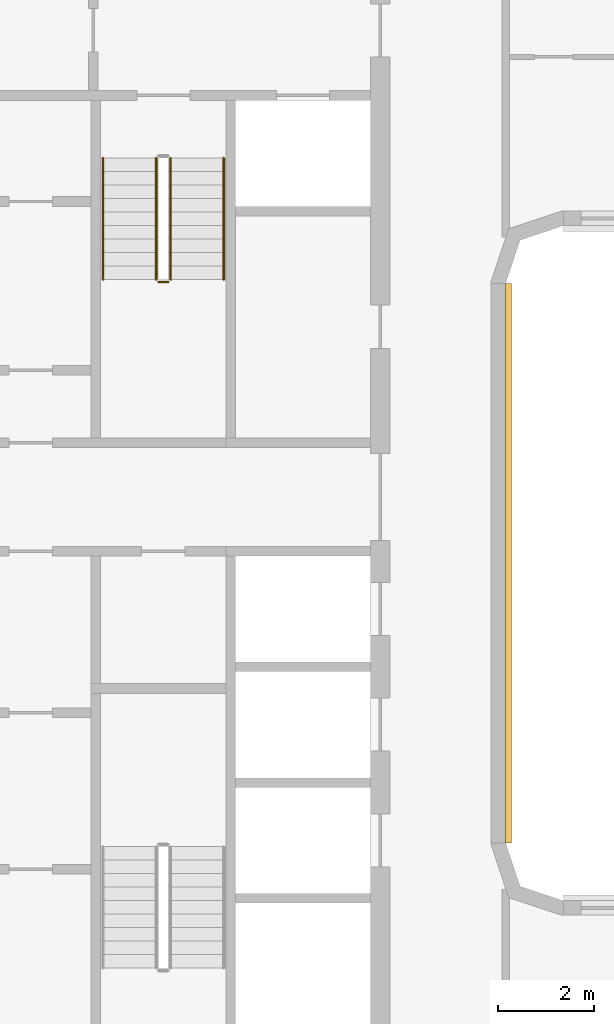
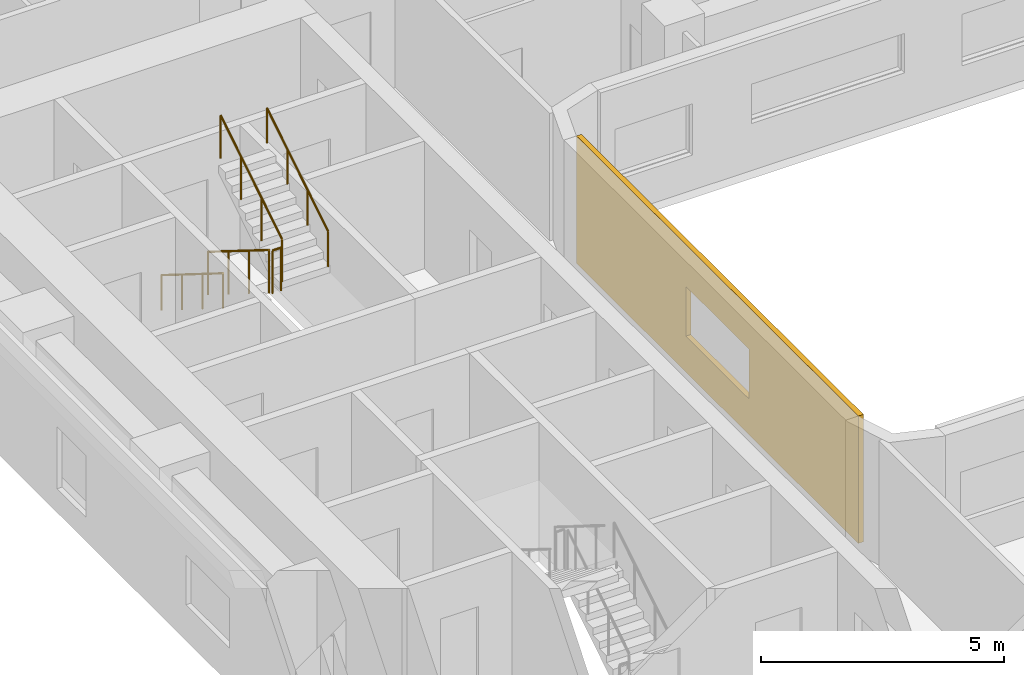
# One storey, part 15 of 22: 5 railings, 1 covering.
"""IFC4 building model written with IfcOpenShell, lengths in metres."""

import ifcopenshell
import ifcopenshell.guid

model = None  # the IFC model being written
_history = None  # IfcOwnerHistory: only IFC2X3 demands one
_inside = {}  # id of a spatial element -> (the spatial element, [elements in it])
_under = {}  # id of a project, library or spatial element -> (it, [spatial elements below it])
_declared = {}  # id of a project -> (the project, [libraries it declares])
_typed = {}  # id of a type object -> (the type object, [elements of that type])
_made_of = {}  # id of a material, layer set ... -> (it, [elements and type objects made of it])


def new_model(schema):
    """Start an empty IFC model of exactly this schema.

    Asked for "IFC4X3", IfcOpenShell would pick the latest addendum, in which some entities
    have other attributes; the version numbers below select the first issue.
    IFC2X3 requires an IfcOwnerHistory on every rooted entity: one is made here for all.
    """
    global model, _history
    if schema == "IFC4X3":
        model = ifcopenshell.file(schema_version=(4, 3, 0, 0))
    else:
        model = ifcopenshell.file(schema=schema)
    _inside.clear()
    _under.clear()
    _declared.clear()
    _typed.clear()
    _made_of.clear()
    _history = None
    if model.schema == "IFC2X3":
        org = make("IfcOrganization", Name="unknown")
        user = make(
            "IfcPersonAndOrganization",
            ThePerson=make("IfcPerson", FamilyName="unknown"),
            TheOrganization=org,
        )
        app = make(
            "IfcApplication",
            ApplicationDeveloper=org,
            Version="unknown",
            ApplicationFullName="unknown",
            ApplicationIdentifier="unknown",
        )
        _history = make(
            "IfcOwnerHistory",
            OwningUser=user,
            OwningApplication=app,
            ChangeAction="ADDED",
            CreationDate=0,
        )
    return model


def make(cls, **values):
    """One entity of the class cls with the attributes given. An attribute that is None is left unset."""
    return model.create_entity(
        cls, **{name: value for name, value in values.items() if value is not None}
    )


def rooted(cls, **values):
    """An entity with a GlobalId (a new one), such as an element, a storey or a relation."""
    return make(cls, GlobalId=ifcopenshell.guid.new(), OwnerHistory=_history, **values)


def si_unit(unit_type, name, prefix=None):
    """IfcSIUnit, for example si_unit("LENGTHUNIT", "METRE", prefix="MILLI")."""
    return make("IfcSIUnit", UnitType=unit_type, Prefix=prefix, Name=name)


def assignment(units):
    """IfcUnitAssignment: the units of a project."""
    return None if units is None else make("IfcUnitAssignment", Units=units)


def point(xyz):
    """IfcCartesianPoint."""
    return None if xyz is None else make("IfcCartesianPoint", Coordinates=xyz)


def direction(xyz):
    """IfcDirection."""
    return None if xyz is None else make("IfcDirection", DirectionRatios=xyz)


def frame(location, z_axis=None, x_axis=None):
    """IfcAxis2Placement3D, a coordinate frame: its origin and axes. An axis left out is left unset."""
    return make(
        "IfcAxis2Placement3D",
        Location=point(location),
        Axis=direction(z_axis),
        RefDirection=direction(x_axis),
    )


def frame_2d(location, x_axis=None):
    """IfcAxis2Placement2D, a coordinate frame in the plane: its origin and x axis."""
    return make(
        "IfcAxis2Placement2D", Location=point(location), RefDirection=direction(x_axis)
    )


def origin():
    """The frame at (0, 0, 0) with its axes left unset."""
    return frame((0.0, 0.0, 0.0))


def origin_2d():
    """The frame at (0, 0) in the plane with its x axis left unset."""
    return frame_2d((0.0, 0.0))


def place(relative_to, where):
    """IfcLocalPlacement: puts the frame where relative to a parent placement (None: the world)."""
    return make(
        "IfcLocalPlacement", PlacementRelTo=relative_to, RelativePlacement=where
    )


def context(
    kind, dimensions, precision=None, world=None, true_north=None, identifier=None
):
    """IfcGeometricRepresentationContext, for example the 3D "Model" context."""
    return make(
        "IfcGeometricRepresentationContext",
        ContextIdentifier=identifier,
        ContextType=kind,
        CoordinateSpaceDimension=dimensions,
        Precision=precision,
        WorldCoordinateSystem=world,
        TrueNorth=true_north,
    )


def subcontext(parent, identifier, kind, view, scale=None):
    """IfcGeometricRepresentationSubContext, for example "Body" below "Model"."""
    return make(
        "IfcGeometricRepresentationSubContext",
        ContextIdentifier=identifier,
        ContextType=kind,
        ParentContext=parent,
        TargetScale=scale,
        TargetView=view,
    )


def project(units=None, contexts=None):
    """IfcProject with its units and contexts."""
    return rooted(
        "IfcProject",
        Name="project",
        RepresentationContexts=contexts,
        UnitsInContext=assignment(units),
    )


def spatial(cls, under=None, at=None, **own):
    """A site, building, storey or space (cls), placed at a placement, below another one or the project."""
    s = rooted(cls, ObjectPlacement=at, **own)
    if under is not None:
        _under.setdefault(under.id(), (under, []))[1].append(s)
    return s


def polyline(points):
    """IfcPolyline through the points."""
    return make("IfcPolyline", Points=[point(p) for p in points])


def profile(cls, at=None, kind="AREA", **sizes):
    """A parametric profile (cls). Its sizes go by their IFC names, for example OverallWidth=200.0."""
    return make(cls, ProfileType=kind, Position=at, **sizes)


def circle(**sizes):
    """IfcCircleProfileDef."""
    return profile("IfcCircleProfileDef", **sizes)


def outline(outer, holes=None, kind="AREA"):
    """IfcArbitraryClosedProfileDef: a profile drawn as a closed curve; with holes, ...WithVoids."""
    if holes is None:
        return make("IfcArbitraryClosedProfileDef", ProfileType=kind, OuterCurve=outer)
    return make(
        "IfcArbitraryProfileDefWithVoids",
        ProfileType=kind,
        OuterCurve=outer,
        InnerCurves=holes,
    )


def extrude(swept, where, along, depth):
    """IfcExtrudedAreaSolid: the profile swept, set in the frame where, extruded along a direction by depth."""
    return make(
        "IfcExtrudedAreaSolid",
        SweptArea=swept,
        Position=where,
        ExtrudedDirection=direction(along),
        Depth=depth,
    )


def shape(context_of_items, identifier, shape_type, items):
    """IfcShapeRepresentation: the items that make up one representation, for example the "Body"."""
    return make(
        "IfcShapeRepresentation",
        ContextOfItems=context_of_items,
        RepresentationIdentifier=identifier,
        RepresentationType=shape_type,
        Items=items,
    )


def material(Name=None, Category=None):
    """IfcMaterial."""
    return make("IfcMaterial", Name=Name, Category=Category)


def layer(
    of_material, thickness, ventilated=None, Name=None, Category=None, Priority=None
):
    """IfcMaterialLayer: one layer of a wall or slab, of a material (None: an air gap)."""
    return make(
        "IfcMaterialLayer",
        Material=of_material,
        LayerThickness=thickness,
        IsVentilated=ventilated,
        Name=Name,
        Category=Category,
        Priority=Priority,
    )


def layer_set(layers, Name=None):
    """IfcMaterialLayerSet."""
    return make("IfcMaterialLayerSet", MaterialLayers=layers, LayerSetName=Name)


def made_of(thing, what):
    """Note that an element or type object is made of a material, layer set ...; save() writes the relation."""
    if what is not None:
        _made_of.setdefault(what.id(), (what, []))[1].append(thing)
    return thing


def type_object(cls, material=None, **own):
    """A type object (cls), such as IfcWallType, which elements share."""
    return made_of(rooted(cls, **own), material)


def element(
    cls,
    number,
    at=None,
    inside=None,
    cuts=None,
    type_object=None,
    material=None,
    context=None,
    identifier="Body",
    shape_type=None,
    held_by="IfcProductDefinitionShape",
    body=None,
    shapes=None,
    **own,
):
    """One element of the class cls, such as IfcWall. Its Tag is "e" and its number.

    at: its placement. inside: the storey or other place that contains it. cuts: it is an
    opening in that element (IfcRelVoidsElement). A single representation is given by context,
    identifier, shape_type and body (its items); several are given by shapes. held_by: the class
    of the entity that holds the representations. save() writes the other relations.
    """
    e = rooted(cls, Tag="e%d" % number, ObjectPlacement=at, **own)
    if body is not None:
        shapes = [shape(context, identifier, shape_type, body)]
    if shapes is not None:
        e.Representation = make(held_by, Representations=shapes)
    if inside is not None:
        _inside.setdefault(inside.id(), (inside, []))[1].append(e)
    if cuts is not None:
        rooted(
            "IfcRelVoidsElement", RelatingBuildingElement=cuts, RelatedOpeningElement=e
        )
    if type_object is not None:
        _typed.setdefault(type_object.id(), (type_object, []))[1].append(e)
    return made_of(e, material)


def aggregate(whole, parts):
    """IfcRelAggregates: a whole, such as a stair, and the parts it consists of."""
    return rooted("IfcRelAggregates", RelatingObject=whole, RelatedObjects=parts)


def save(model, path):
    """Write the relations noted so far, then the file.

    IfcRelAggregates (storeys below a building ...), IfcRelContainedInSpatialStructure (elements
    in a storey), IfcRelDefinesByType, IfcRelAssociatesMaterial and IfcRelDeclares: one each for
    every whole, place, type object, material and project.
    """
    for whole, parts in _under.values():
        aggregate(whole, parts)
    for where, things in _inside.values():
        rooted(
            "IfcRelContainedInSpatialStructure",
            RelatedElements=things,
            RelatingStructure=where,
        )
    for kind, things in _typed.values():
        rooted("IfcRelDefinesByType", RelatedObjects=things, RelatingType=kind)
    for what, things in _made_of.values():
        rooted("IfcRelAssociatesMaterial", RelatedObjects=things, RelatingMaterial=what)
    for by, libraries in _declared.values():
        rooted("IfcRelDeclares", RelatingContext=by, RelatedDefinitions=libraries)
    model.write(path)


model = new_model("IFC4")

# Units and contexts
model_context = context("Model", 3, precision=1e-05, world=origin(), true_north=direction((0.0, 1.0)))
body_context = subcontext(model_context, "Body", "Model", "MODEL_VIEW")
ifc_project = project(units=[si_unit("LENGTHUNIT", "METRE"), si_unit("AREAUNIT", "SQUARE_METRE"), si_unit("VOLUMEUNIT", "CUBIC_METRE"), si_unit("PLANEANGLEUNIT", "RADIAN"), si_unit("MASSUNIT", "GRAM", prefix="KILO")], contexts=[model_context])

# Site, building, storey
site_placement = place(None, origin())
site = spatial("IfcSite", under=ifc_project, at=site_placement, CompositionType="ELEMENT")
building_placement = place(site_placement, origin())
building = spatial("IfcBuilding", under=site, at=building_placement, Name="Kiln Ring Residences", CompositionType="ELEMENT")
storey_placement = place(building_placement, frame((0.0, 0.0, 111.300048828125)))
storey = spatial("IfcBuildingStorey", under=building, at=storey_placement, Name="L28", CompositionType="ELEMENT", Elevation=111.300048828125)

# Railings
ifc_material_1 = material(Name="Stainless steel", Category="steel")
railing_type_1 = type_object("IfcRailingType", Name="CORE-STAIR-GUARD", PredefinedType="GUARDRAIL", material=ifc_material_1)
railing_1_placement = place(storey_placement, frame((-22.25, 8.39990234375, 0.175048828125)))
element("IfcRailing", 1, at=railing_1_placement, inside=storey, type_object=railing_type_1, Name="L28 W-STN stair guard 1", PredefinedType="GUARDRAIL", context=body_context, shape_type="SweptSolid", body=[
    extrude(circle(Radius=0.02392578125, at=origin_2d()), frame((0.0, 0.0, 1.076171875), z_axis=(0.0, -0.848007534815, 0.529984170421), x_axis=(1.0, 0.0, 0.0)), (0.0, 0.0, 1.0), 2.9716796875),
    extrude(circle(Radius=0.02099609375, at=origin_2d()), origin(), (0.0, 0.0, 1.0), 1.052001953125),
    extrude(circle(Radius=0.02099609375, at=origin_2d()), frame((0.0, -0.840087890625, 0.52490234375)), (0.0, 0.0, 1.0), 1.052001953125),
    extrude(circle(Radius=0.02099609375, at=origin_2d()), frame((0.0, -1.679931640625, 1.050048828125)), (0.0, 0.0, 1.0), 1.052001953125),
    extrude(circle(Radius=0.02099609375, at=origin_2d()), frame((0.0, -2.52001953125, 1.574951171875)), (0.0, 0.0, 1.0), 1.052001953125),
])
railing_2_placement = place(storey_placement, frame((-22.199951171875, 5.830078125, 1.75)))
element("IfcRailing", 2, at=railing_2_placement, inside=storey, type_object=railing_type_1, Name="L28 W-STN stair guard 2", PredefinedType="GUARDRAIL", context=body_context, shape_type="SweptSolid", body=[
    extrude(circle(Radius=0.02392578125, at=origin_2d()), frame((0.0, 0.0, 1.076171875), z_axis=(1.0, 0.0, 0.0), x_axis=(0.0, 1.0, 0.0)), (0.0, 0.0, 1.0), 0.199951171875),
    extrude(circle(Radius=0.02099609375, at=origin_2d()), origin(), (0.0, 0.0, 1.0), 1.052001953125),
    extrude(circle(Radius=0.02099609375, at=origin_2d()), frame((0.199951171875, 0.0, 0.0)), (0.0, 0.0, 1.0), 1.052001953125),
])
railing_3_placement = place(storey_placement, frame((-21.949951171875, 5.8798828125, 1.925048828125)))
element("IfcRailing", 3, at=railing_3_placement, inside=storey, type_object=railing_type_1, Name="L28 W-STN stair guard 3", PredefinedType="GUARDRAIL", context=body_context, shape_type="SweptSolid", body=[
    extrude(circle(Radius=0.02392578125, at=origin_2d()), frame((0.0, 0.0, 1.076171875), z_axis=(0.0, 0.848007534815, 0.529984170421), x_axis=(-1.0, 0.0, 0.0)), (0.0, 0.0, 1.0), 2.9716796875),
    extrude(circle(Radius=0.02099609375, at=origin_2d()), origin(), (0.0, 0.0, 1.0), 1.052001953125),
    extrude(circle(Radius=0.02099609375, at=origin_2d()), frame((0.0, 0.840087890625, 0.52490234375)), (0.0, 0.0, 1.0), 1.052001953125),
    extrude(circle(Radius=0.02099609375, at=origin_2d()), frame((0.0, 1.679931640625, 1.050048828125)), (0.0, 0.0, 1.0), 1.052001953125),
    extrude(circle(Radius=0.02099609375, at=origin_2d()), frame((0.0, 2.52001953125, 1.574951171875)), (0.0, 0.0, 1.0), 1.052001953125),
])
ifc_material_2 = material(Name="Stainless steel", Category="steel")
railing_type_2 = type_object("IfcRailingType", Name="CORE-STAIR-HANDRAIL", PredefinedType="HANDRAIL", material=ifc_material_2)
railing_4_placement = place(storey_placement, frame((-23.35009765625, 8.39990234375, 0.175048828125)))
element("IfcRailing", 4, at=railing_4_placement, inside=storey, type_object=railing_type_2, Name="L28 W-STN stair handrail 1", PredefinedType="HANDRAIL", context=body_context, shape_type="SweptSolid", body=[
    extrude(circle(Radius=0.02392578125, at=origin_2d()), frame((0.0, 0.0, 0.8759765625), z_axis=(0.0, -0.848007534815, 0.529984170421), x_axis=(1.0, 0.0, 0.0)), (0.0, 0.0, 1.0), 2.9716796875),
    extrude(circle(Radius=0.02099609375, at=origin_2d()), origin(), (0.0, 0.0, 1.0), 0.851806640625),
    extrude(circle(Radius=0.02099609375, at=origin_2d()), frame((0.0, -0.840087890625, 0.52490234375)), (0.0, 0.0, 1.0), 0.851806640625),
    extrude(circle(Radius=0.02099609375, at=origin_2d()), frame((0.0, -1.679931640625, 1.050048828125)), (0.0, 0.0, 1.0), 0.851806640625),
    extrude(circle(Radius=0.02099609375, at=origin_2d()), frame((0.0, -2.52001953125, 1.574951171875)), (0.0, 0.0, 1.0), 0.851806640625),
])
railing_5_placement = place(storey_placement, frame((-20.85009765625, 5.8798828125, 1.925048828125)))
element("IfcRailing", 5, at=railing_5_placement, inside=storey, type_object=railing_type_2, Name="L28 W-STN stair handrail 2", PredefinedType="HANDRAIL", context=body_context, shape_type="SweptSolid", body=[
    extrude(circle(Radius=0.02392578125, at=origin_2d()), frame((0.0, 0.0, 0.8759765625), z_axis=(0.0, 0.848007534815, 0.529984170421), x_axis=(-1.0, 0.0, 0.0)), (0.0, 0.0, 1.0), 2.9716796875),
    extrude(circle(Radius=0.02099609375, at=origin_2d()), origin(), (0.0, 0.0, 1.0), 0.851806640625),
    extrude(circle(Radius=0.02099609375, at=origin_2d()), frame((0.0, 0.840087890625, 0.52490234375)), (0.0, 0.0, 1.0), 0.851806640625),
    extrude(circle(Radius=0.02099609375, at=origin_2d()), frame((0.0, 1.679931640625, 1.050048828125)), (0.0, 0.0, 1.0), 0.851806640625),
    extrude(circle(Radius=0.02099609375, at=origin_2d()), frame((0.0, 2.52001953125, 1.574951171875)), (0.0, 0.0, 1.0), 0.851806640625),
])

# Covering
ifc_material_3 = material(Name="Brick masonry, dark clay brick", Category="masonry")
ifc_layer = layer(ifc_material_3, 0.1201171875)
ifc_layer_set = layer_set([ifc_layer], Name="RAINSCREEN PANEL 120")
covering_type = type_object("IfcCoveringType", Name="RAINSCREEN PANEL 120", PredefinedType="CLADDING", material=ifc_layer_set)
covering_placement = place(storey_placement, frame((-14.93994140625, -5.800048828125, 0.0), z_axis=(0.0, 0.0, 1.0), x_axis=(0.0, 1.0, 0.0)))
element("IfcCovering", 6, at=covering_placement, inside=storey, type_object=covering_type, Name="RAINSCREEN L28", PredefinedType="CLADDING", context=body_context, shape_type="SweptSolid", body=[
    extrude(outline(polyline([(0.0, 0.0), (11.60009765625, 0.0), (11.60009765625, 3.199951171875), (0.0, 3.199951171875), (0.0, 0.0)]), holes=[polyline([(4.5, 2.14990234375), (4.5, 0.89990234375), (7.10009765625, 0.89990234375), (7.10009765625, 2.14990234375), (4.5, 2.14990234375)])]), frame((0.0, 0.06005859375, 0.0), z_axis=(0.0, -1.0, 0.0), x_axis=(1.0, 0.0, 0.0)), (0.0, 0.0, 1.0), 0.1201171875),
])

save(model, "model.ifc")
